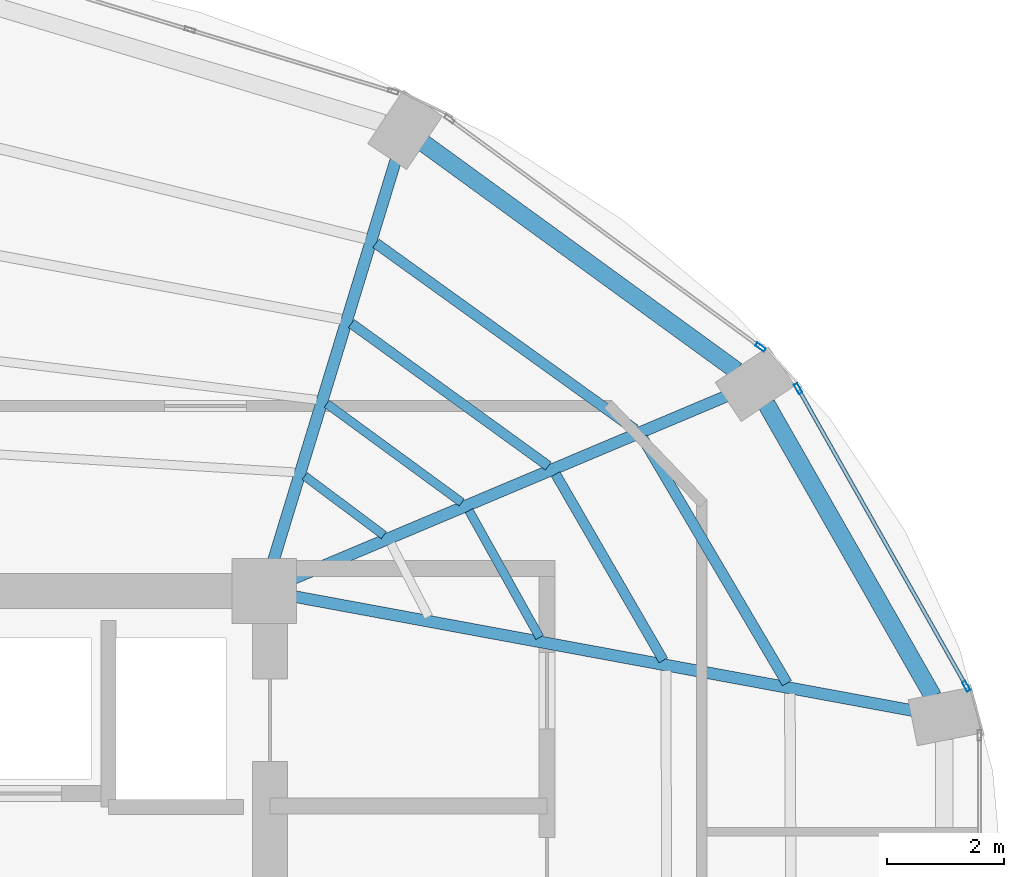
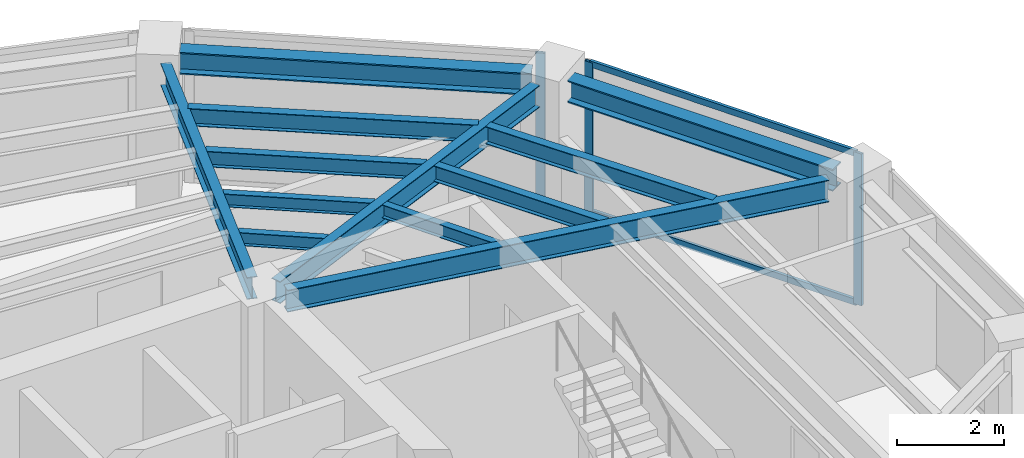
# One storey, part 15 of 22: 12 beams, 5 members, 2 elements without a shape of their own.
"""IFC4 building model written with IfcOpenShell, lengths in metres."""

from ifc_helpers import new_model, si_unit, direction, frame, origin, origin_2d, place, context, subcontext, project, spatial, hollow_rectangle, i_section, extrude, material, layer, layer_set, material_profile, profile_set, type_object, element, aggregate, save


model = new_model("IFC4")

# Units and contexts
model_context = context("Model", 3, precision=1e-05, world=origin(), true_north=direction((0.0, 1.0)))
body_context = subcontext(model_context, "Body", "Model", "MODEL_VIEW")
ifc_project = project(units=[si_unit("LENGTHUNIT", "METRE"), si_unit("AREAUNIT", "SQUARE_METRE"), si_unit("VOLUMEUNIT", "CUBIC_METRE"), si_unit("PLANEANGLEUNIT", "RADIAN"), si_unit("MASSUNIT", "GRAM", prefix="KILO")], contexts=[model_context])

# Site, building, storey
site_placement = place(None, origin())
site = spatial("IfcSite", under=ifc_project, at=site_placement, CompositionType="ELEMENT")
building_placement = place(site_placement, origin())
building = spatial("IfcBuilding", under=site, at=building_placement, Name="Lazwardi Medical Tower", CompositionType="ELEMENT")
storey_placement = place(building_placement, frame((0.0, 0.0, 227.6640625)))
storey = spatial("IfcBuildingStorey", under=building, at=storey_placement, Name="L59", CompositionType="ELEMENT", Elevation=227.6640625)

# Beams
ifc_material_1 = material(Name="Steel S355", Category="steel")
ifc_material_profile_1 = material_profile(ifc_material_1, i_section(OverallWidth=0.300048828125, OverallDepth=0.5, WebThickness=0.014404296875, FlangeThickness=0.028076171875, at=origin_2d()), Name="HEB 500")
ifc_profile_set_1 = profile_set([ifc_material_profile_1], Name="Steel S355")
beam_type_1 = type_object("IfcBeamType", Name="BM-RB-Z4", PredefinedType="BEAM", material=ifc_profile_set_1)
beam_1_placement = place(storey_placement, frame((56.991943359375, 33.8017578125, 3.197998046875), z_axis=(-0.495125273299, 0.868821594886, 0.0), x_axis=(-0.868821594886, -0.495125273299, 0.0)))
element("IfcBeam", 1, at=beam_1_placement, inside=storey, type_object=beam_type_1, Name="Ring beam RB-05 B05 L59", PredefinedType="BEAM", context=body_context, shape_type="SweptSolid", body=[
    extrude(i_section(OverallWidth=0.300048828125, OverallDepth=0.5, WebThickness=0.014404296875, FlangeThickness=0.028076171875, at=origin_2d()), origin(), (0.0, 0.0, 1.0), 5.734130859375),
])
beam_2_placement = place(storey_placement, frame((53.644287109375, 39.351806640625, 3.197998046875), z_axis=(-0.808889916254, 0.587960120571, 0.0), x_axis=(-0.587960120571, -0.808889916254, 0.0)))
element("IfcBeam", 2, at=beam_2_placement, inside=storey, type_object=beam_type_1, Name="Ring beam RB-05 B06 L59", PredefinedType="BEAM", context=body_context, shape_type="SweptSolid", body=[
    extrude(i_section(OverallWidth=0.300048828125, OverallDepth=0.5, WebThickness=0.014404296875, FlangeThickness=0.028076171875, at=origin_2d()), origin(), (0.0, 0.0, 1.0), 6.587158203125),
])
ifc_material_profile_2 = material_profile(ifc_material_1, i_section(OverallWidth=0.199951171875, OverallDepth=0.5, WebThickness=0.01025390625, FlangeThickness=0.01611328125, at=origin_2d()), Name="IPE 500")
ifc_profile_set_2 = profile_set([ifc_material_profile_2], Name="Steel S355")
beam_type_2 = type_object("IfcBeamType", Name="BM-RG-W3", PredefinedType="BEAM", material=ifc_profile_set_2)
beam_3_placement = place(storey_placement, frame((56.658935546875, 33.56005859375, 3.197998046875), z_axis=(-0.983409341459, 0.181400295288, 0.0), x_axis=(-0.181400295288, -0.983409341459, 0.0)))
element("IfcBeam", 3, at=beam_3_placement, inside=storey, type_object=beam_type_2, Name="Radial girder RG-04 R05 L59", PredefinedType="BEAM", context=body_context, shape_type="SweptSolid", body=[
    extrude(i_section(OverallWidth=0.199951171875, OverallDepth=0.5, WebThickness=0.01025390625, FlangeThickness=0.01611328125, at=origin_2d()), origin(), (0.0, 0.0, 1.0), 10.71044921875),
])
beam_4_placement = place(storey_placement, frame((53.466796875, 38.914794921875, 3.197998046875), z_axis=(-0.921526791352, -0.388314785735, 0.0), x_axis=(0.388314785735, -0.921526791352, 0.0)))
element("IfcBeam", 4, at=beam_4_placement, inside=storey, type_object=beam_type_2, Name="Radial girder RG-04 R06 L59", PredefinedType="BEAM", context=body_context, shape_type="SweptSolid", body=[
    extrude(i_section(OverallWidth=0.199951171875, OverallDepth=0.5, WebThickness=0.01025390625, FlangeThickness=0.01611328125, at=origin_2d()), origin(), (0.0, 0.0, 1.0), 8.001708984375),
])
beam_5_placement = place(storey_placement, frame((47.843994140625, 42.9423828125, 3.197998046875), z_axis=(-0.292276716539, -0.956333791607, 0.0), x_axis=(0.956333791607, -0.292276716539, 0.0)))
element("IfcBeam", 5, at=beam_5_placement, inside=storey, type_object=beam_type_2, Name="Radial girder RG-04 R07 L59", PredefinedType="BEAM", context=body_context, shape_type="SweptSolid", body=[
    extrude(i_section(OverallWidth=0.199951171875, OverallDepth=0.5, WebThickness=0.01025390625, FlangeThickness=0.01611328125, at=origin_2d()), origin(), (0.0, 0.0, 1.0), 7.142822265625),
])
ifc_material_profile_3 = material_profile(ifc_material_1, i_section(OverallWidth=0.179931640625, OverallDepth=0.39990234375, WebThickness=0.008544921875, FlangeThickness=0.013427734375, at=origin_2d()), Name="IPE 400")
ifc_profile_set_3 = profile_set([ifc_material_profile_3], Name="Steel S355")
beam_type_3 = type_object("IfcBeamType", Name="BM-SJ-01", PredefinedType="JOIST", material=ifc_profile_set_3)
beam_6_placement = place(storey_placement, frame((54.504150390625, 34.030517578125, 3.248046875), z_axis=(-0.507710311367, 0.861527851977, 0.0), x_axis=(-0.861527851977, -0.507710311367, 0.0)))
element("IfcBeam", 6, at=beam_6_placement, inside=storey, type_object=beam_type_3, Name="Secondary joist SJ-01 R1 B05 L59", PredefinedType="JOIST", context=body_context, shape_type="SweptSolid", body=[
    extrude(i_section(OverallWidth=0.179931640625, OverallDepth=0.39990234375, WebThickness=0.008544921875, FlangeThickness=0.013427734375, at=origin_2d()), origin(), (0.0, 0.0, 1.0), 4.852783203125),
])
beam_7_placement = place(storey_placement, frame((51.914794921875, 38.348876953125, 3.248046875), z_axis=(-0.811889581337, 0.58381102055, 0.0), x_axis=(-0.58381102055, -0.811889581337, 0.0)))
element("IfcBeam", 7, at=beam_7_placement, inside=storey, type_object=beam_type_3, Name="Secondary joist SJ-01 R1 B06 L59", PredefinedType="JOIST", context=body_context, shape_type="SweptSolid", body=[
    extrude(i_section(OverallWidth=0.179931640625, OverallDepth=0.39990234375, WebThickness=0.008544921875, FlangeThickness=0.013427734375, at=origin_2d()), origin(), (0.0, 0.0, 1.0), 5.433349609375),
])
ifc_material_profile_4 = material_profile(ifc_material_1, i_section(OverallWidth=0.169921875, OverallDepth=0.360107421875, WebThickness=0.008056640625, FlangeThickness=0.0126953125, at=origin_2d()), Name="IPE 360")
ifc_profile_set_4 = profile_set([ifc_material_profile_4], Name="Steel S355")
beam_type_4 = type_object("IfcBeamType", Name="BM-SJ-02", PredefinedType="JOIST", material=ifc_profile_set_4)
beam_8_placement = place(storey_placement, frame((52.398193359375, 34.41943359375, 3.267822265625), z_axis=(-0.500655179543, 0.865646805109, 0.0), x_axis=(-0.865646805109, -0.500655179543, 0.0)))
element("IfcBeam", 8, at=beam_8_placement, inside=storey, type_object=beam_type_4, Name="Secondary joist SJ-02 R2 B05 L59", PredefinedType="JOIST", context=body_context, shape_type="SweptSolid", body=[
    extrude(i_section(OverallWidth=0.169921875, OverallDepth=0.360107421875, WebThickness=0.008056640625, FlangeThickness=0.0126953125, at=origin_2d()), origin(), (0.0, 0.0, 1.0), 3.662109375),
])
beam_9_placement = place(storey_placement, frame((50.440185546875, 37.7275390625, 3.267822265625), z_axis=(-0.810164229155, 0.586202969796, 0.0), x_axis=(-0.586202969796, -0.810164229155, 0.0)))
element("IfcBeam", 9, at=beam_9_placement, inside=storey, type_object=beam_type_4, Name="Secondary joist SJ-02 R2 B06 L59", PredefinedType="JOIST", context=body_context, shape_type="SweptSolid", body=[
    extrude(i_section(OverallWidth=0.169921875, OverallDepth=0.360107421875, WebThickness=0.008056640625, FlangeThickness=0.0126953125, at=origin_2d()), origin(), (0.0, 0.0, 1.0), 4.14013671875),
])
ifc_material_profile_5 = material_profile(ifc_material_1, i_section(OverallWidth=0.14990234375, OverallDepth=0.300048828125, WebThickness=0.007080078125, FlangeThickness=0.0107421875, at=origin_2d()), Name="IPE 300")
ifc_profile_set_5 = profile_set([ifc_material_profile_5], Name="Steel S355")
beam_type_5 = type_object("IfcBeamType", Name="BM-SJ-03", PredefinedType="JOIST", material=ifc_profile_set_5)
beam_10_placement = place(storey_placement, frame((50.29296875, 34.80859375, 3.2978515625), z_axis=(-0.487092942089, 0.873350139272, 0.0), x_axis=(-0.873350139272, -0.487092942089, 0.0)))
element("IfcBeam", 10, at=beam_10_placement, inside=storey, type_object=beam_type_5, Name="Secondary joist SJ-03 R3 B05 L59", PredefinedType="JOIST", context=body_context, shape_type="SweptSolid", body=[
    extrude(i_section(OverallWidth=0.14990234375, OverallDepth=0.300048828125, WebThickness=0.007080078125, FlangeThickness=0.0107421875, at=origin_2d()), origin(), (0.0, 0.0, 1.0), 2.471923828125),
])
beam_11_placement = place(storey_placement, frame((48.9658203125, 37.106689453125, 3.2978515625), z_axis=(-0.80703431267, 0.59050454543, 0.0), x_axis=(-0.59050454543, -0.80703431267, 0.0)))
element("IfcBeam", 11, at=beam_11_placement, inside=storey, type_object=beam_type_5, Name="Secondary joist SJ-03 R3 B06 L59", PredefinedType="JOIST", context=body_context, shape_type="SweptSolid", body=[
    extrude(i_section(OverallWidth=0.14990234375, OverallDepth=0.300048828125, WebThickness=0.007080078125, FlangeThickness=0.0107421875, at=origin_2d()), origin(), (0.0, 0.0, 1.0), 2.846923828125),
])
beam_12_placement = place(storey_placement, frame((47.63916015625, 36.548095703125, 3.2978515625), z_axis=(-0.800365301971, 0.599512621553, 0.0), x_axis=(-0.599512621553, -0.800365301971, 0.0)))
element("IfcBeam", 12, at=beam_12_placement, inside=storey, type_object=beam_type_5, Name="Secondary joist SJ-03 R4 B06 L59", PredefinedType="JOIST", context=body_context, shape_type="SweptSolid", body=[
    extrude(i_section(OverallWidth=0.14990234375, OverallDepth=0.300048828125, WebThickness=0.007080078125, FlangeThickness=0.0107421875, at=origin_2d()), origin(), (0.0, 0.0, 1.0), 1.68359375),
])

# Curtain wall, members
ifc_material_2 = material(Name="Anodised bronze aluminium and solar control glazing", Category="aluminium")
ifc_layer = layer(ifc_material_2, 0.18994140625)
ifc_layer_set = layer_set([ifc_layer], Name="Anodised bronze aluminium and solar control glazing")
curtain_wall_type = type_object("IfcCurtainWallType", Name="CW-SYS-04", PredefinedType="NOTDEFINED", material=ifc_layer_set)
curtain_wall_1_placement = place(storey_placement, origin())
curtain_wall_1 = element("IfcCurtainWall", 13, at=curtain_wall_1_placement, inside=storey, type_object=curtain_wall_type, Name="L59 Unitised bronze curtain wall CW-04", PredefinedType="NOTDEFINED")
ifc_material_3 = material(Name="Anodised bronze aluminium", Category="aluminium")
ifc_material_profile_6 = material_profile(ifc_material_3, hollow_rectangle(XDim=0.06494140625, YDim=0.179931640625, WallThickness=0.00390625, at=origin_2d()), Name="ALU-MULLION 180x65x4")
ifc_profile_set_6 = profile_set([ifc_material_profile_6], Name="Anodised bronze aluminium")
member_type_1 = type_object("IfcMemberType", Name="CW-MUL-03", PredefinedType="MULLION", material=ifc_profile_set_6)
member_1_placement = place(storey_placement, frame((57.557373046875, 33.978271484375, 0.0), z_axis=(0.0, 0.0, 1.0), x_axis=(-0.870651436011, -0.491900474661, 0.0)))
member_1 = element("IfcMember", 14, at=member_1_placement, type_object=member_type_1, Name="CW-04 mullion 1", PredefinedType="MULLION", context=body_context, shape_type="SweptSolid", body=[
    extrude(hollow_rectangle(XDim=0.06494140625, YDim=0.179931640625, WallThickness=0.00390625, at=origin_2d()), origin(), (0.0, 0.0, 1.0), 3.447998046875),
])
member_2_placement = place(storey_placement, frame((54.6943359375, 39.04541015625, 0.0), z_axis=(0.0, 0.0, 1.0), x_axis=(-0.870651436011, -0.491900474661, 0.0)))
member_2 = element("IfcMember", 15, at=member_2_placement, type_object=member_type_1, Name="CW-04 mullion 2", PredefinedType="MULLION", context=body_context, shape_type="SweptSolid", body=[
    extrude(hollow_rectangle(XDim=0.06494140625, YDim=0.179931640625, WallThickness=0.00390625, at=origin_2d()), origin(), (0.0, 0.0, 1.0), 3.447998046875),
])

# Curtain wall, member
curtain_wall_2_placement = place(storey_placement, origin())
curtain_wall_2 = element("IfcCurtainWall", 16, at=curtain_wall_2_placement, inside=storey, type_object=curtain_wall_type, Name="L59 Unitised bronze curtain wall CW-04", PredefinedType="NOTDEFINED")
member_3_placement = place(storey_placement, frame((54.052001953125, 39.751708984375, 0.0), z_axis=(0.0, 0.0, 1.0), x_axis=(-0.591268230971, -0.806474971121, 0.0)))
member_3 = element("IfcMember", 17, at=member_3_placement, type_object=member_type_1, Name="CW-04 mullion 1", PredefinedType="MULLION", context=body_context, shape_type="SweptSolid", body=[
    extrude(hollow_rectangle(XDim=0.06494140625, YDim=0.179931640625, WallThickness=0.00390625, at=origin_2d()), origin(), (0.0, 0.0, 1.0), 3.447998046875),
])
aggregate(curtain_wall_2, [member_3])

# Member
ifc_material_profile_7 = material_profile(ifc_material_3, hollow_rectangle(XDim=0.06494140625, YDim=0.139892578125, WallThickness=0.00341796875, at=origin_2d()), Name="ALU-TRANSOM 140x65x3.5")
ifc_profile_set_7 = profile_set([ifc_material_profile_7], Name="Anodised bronze aluminium")
member_type_2 = type_object("IfcMemberType", Name="CW-TRN-03", PredefinedType="USERDEFINED", material=ifc_profile_set_7)
member_4_placement = place(storey_placement, frame((57.541259765625, 34.006591796875, 0.032470703125), z_axis=(-0.491897887635, 0.870652897623, 0.0), x_axis=(-0.870652897623, -0.491897887635, 0.0)))
member_4 = element("IfcMember", 18, at=member_4_placement, type_object=member_type_2, Name="CW-04 transom 1.1", ObjectType="TRANSOM", PredefinedType="USERDEFINED", context=body_context, shape_type="SweptSolid", body=[
    extrude(hollow_rectangle(XDim=0.06494140625, YDim=0.139892578125, WallThickness=0.00341796875, at=origin_2d()), origin(), (0.0, 0.0, 1.0), 5.7548828125),
])

member_5_placement = place(storey_placement, frame((57.541259765625, 34.006591796875, 3.41552734375), z_axis=(-0.491897887635, 0.870652897623, 0.0), x_axis=(-0.870652897623, -0.491897887635, 0.0)))
member_5 = element("IfcMember", 19, at=member_5_placement, type_object=member_type_2, Name="CW-04 transom 1.2", ObjectType="TRANSOM", PredefinedType="USERDEFINED", context=body_context, shape_type="SweptSolid", body=[
    extrude(hollow_rectangle(XDim=0.06494140625, YDim=0.139892578125, WallThickness=0.00341796875, at=origin_2d()), origin(), (0.0, 0.0, 1.0), 5.7548828125),
])

aggregate(curtain_wall_1, [member_1, member_2, member_4, member_5])

save(model, "model.ifc")
